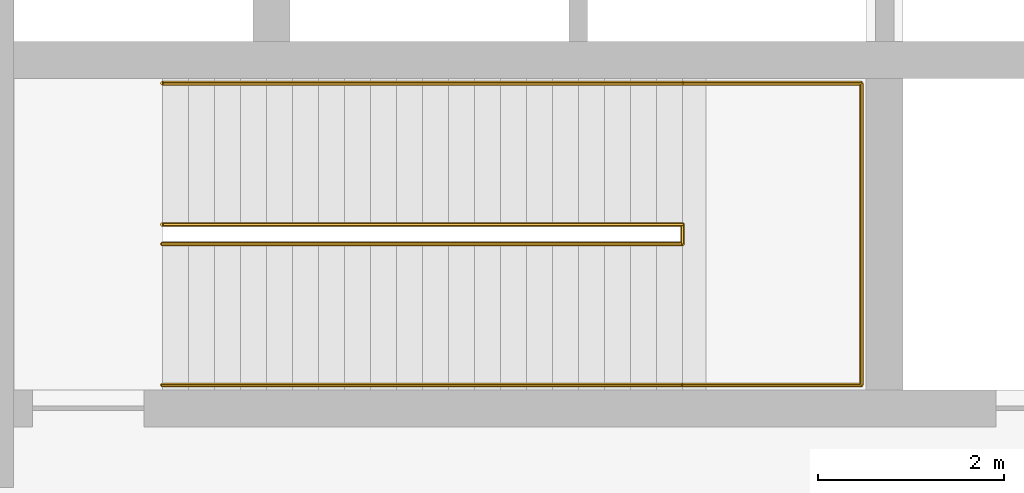
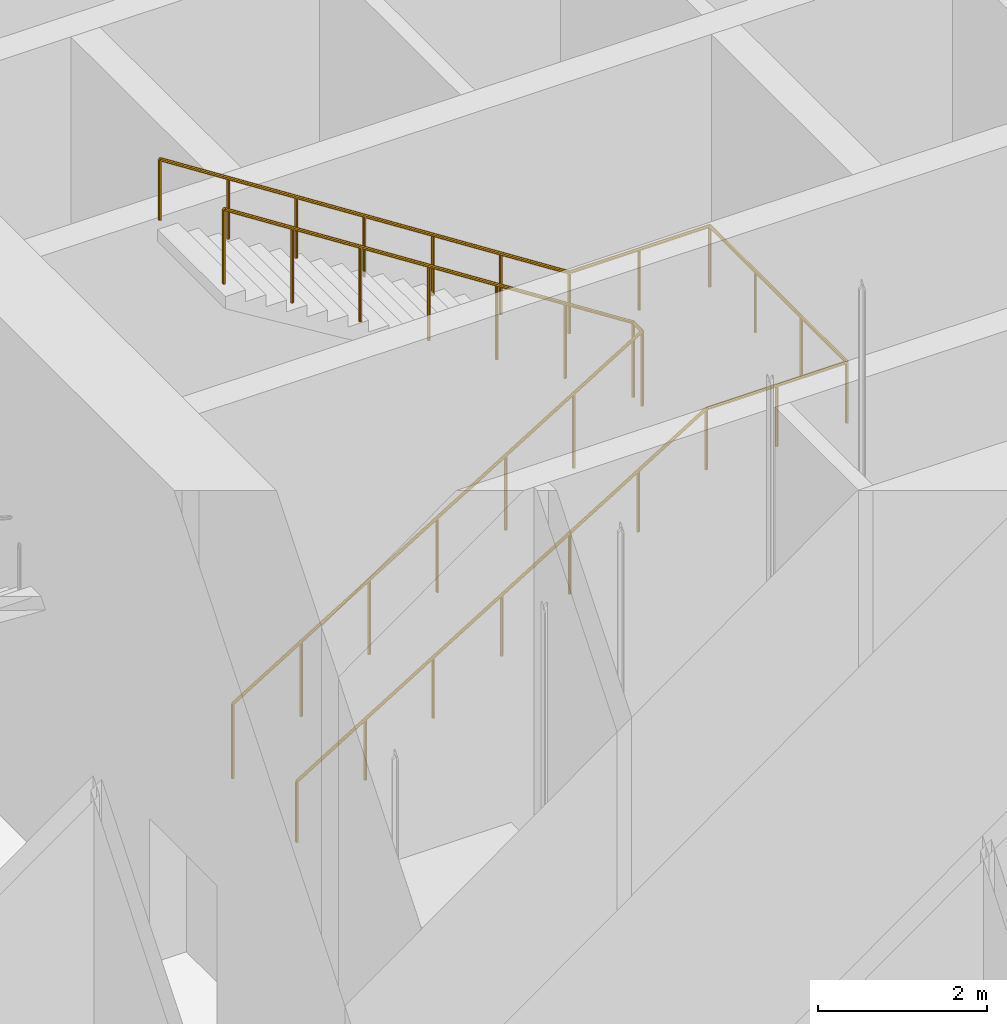
# One storey, part 20 of 32: 2 railings.
"""IFC4 building model written with IfcOpenShell, lengths in metres."""

from ifc_helpers import new_model, si_unit, direction, frame, origin, place, context, subcontext, project, spatial, polyline, outline, extrude, material, type_object, element, save


model = new_model("IFC4")

# Units and contexts
model_context = context("Model", 3, precision=1e-05, world=origin(), true_north=direction((0.0, 1.0)))
body_context = subcontext(model_context, "Body", "Model", "MODEL_VIEW")
ifc_project = project(units=[si_unit("LENGTHUNIT", "METRE"), si_unit("AREAUNIT", "SQUARE_METRE"), si_unit("VOLUMEUNIT", "CUBIC_METRE"), si_unit("PLANEANGLEUNIT", "RADIAN"), si_unit("MASSUNIT", "GRAM", prefix="KILO")], contexts=[model_context])

# Site, building, storey
site_placement = place(None, origin())
site = spatial("IfcSite", under=ifc_project, at=site_placement, CompositionType="ELEMENT")
building_placement = place(site_placement, origin())
building = spatial("IfcBuilding", under=site, at=building_placement, Name="Cobogo Forest Laboratory Tower", CompositionType="ELEMENT")
storey_placement = place(building_placement, origin())
storey = spatial("IfcBuildingStorey", under=building, at=storey_placement, Name="L00", CompositionType="ELEMENT", Elevation=0.0)

# Railings
ifc_material_1 = material(Name="Steel balustrade", Category="steel")
railing_type_1 = type_object("IfcRailingType", Name="GR stair guard 1100", PredefinedType="GUARDRAIL", material=ifc_material_1)
railing_1_placement = place(storey_placement, frame((15.324951171875, 20.969970703125, 0.17138671875)))
element("IfcRailing", 1, at=railing_1_placement, inside=storey, type_object=railing_type_1, Name="Stair guard ST1 L00", PredefinedType="GUARDRAIL", context=body_context, shape_type="SweptSolid", body=[
    extrude(outline(polyline([(0.022216796875, 0.00927734375), (0.00927734375, 0.022216796875), (-0.00927734375, 0.022216796875), (-0.022216796875, 0.00927734375), (-0.022216796875, -0.00927734375), (-0.00927734375, -0.022216796875), (0.00927734375, -0.022216796875), (0.022216796875, -0.00927734375), (0.022216796875, 0.00927734375)])), frame((0.0, 0.0, 1.077880859375), z_axis=(0.852845897599, 0.0, 0.522162690116), x_axis=(0.0, 1.0, 0.0)), (0.0, 0.0, 1.0), 6.56640625),
    extrude(outline(polyline([(0.022216796875, 0.00927734375), (0.00927734375, 0.022216796875), (-0.00927734375, 0.022216796875), (-0.022216796875, 0.00927734375), (-0.022216796875, -0.00927734375), (-0.00927734375, -0.022216796875), (0.00927734375, -0.022216796875), (0.022216796875, -0.00927734375), (0.022216796875, 0.00927734375)])), frame((5.60009765625, 0.0, 4.506591796875), z_axis=(0.0, 1.0, 0.0), x_axis=(-1.0, 0.0, 0.0)), (0.0, 0.0, 1.0), 0.2099609375),
    extrude(outline(polyline([(0.022216796875, 0.00927734375), (0.00927734375, 0.022216796875), (-0.00927734375, 0.022216796875), (-0.022216796875, 0.00927734375), (-0.022216796875, -0.00927734375), (-0.00927734375, -0.022216796875), (0.00927734375, -0.022216796875), (0.022216796875, -0.00927734375), (0.022216796875, 0.00927734375)])), frame((5.60009765625, 0.2099609375, 4.506591796875), z_axis=(-0.841192773368, 0.0, 0.540735349347), x_axis=(0.0, -1.0, 0.0)), (0.0, 0.0, 1.0), 6.6572265625),
    extrude(outline(polyline([(0.019287109375, 0.008056640625), (0.008056640625, 0.019287109375), (-0.008056640625, 0.019287109375), (-0.019287109375, 0.008056640625), (-0.019287109375, -0.008056640625), (-0.008056640625, -0.019287109375), (0.008056640625, -0.019287109375), (0.019287109375, -0.008056640625), (0.019287109375, 0.008056640625)])), origin(), (0.0, 0.0, 1.0), 1.077880859375),
    extrude(outline(polyline([(0.019287109375, 0.008056640625), (0.008056640625, 0.019287109375), (-0.008056640625, 0.019287109375), (-0.019287109375, 0.008056640625), (-0.019287109375, -0.008056640625), (-0.008056640625, -0.019287109375), (0.008056640625, -0.019287109375), (0.019287109375, -0.008056640625), (0.019287109375, 0.008056640625)])), frame((0.933349609375, 0.0, 0.571533203125)), (0.0, 0.0, 1.0), 1.077880859375),
    extrude(outline(polyline([(0.019287109375, 0.008056640625), (0.008056640625, 0.019287109375), (-0.008056640625, 0.019287109375), (-0.019287109375, 0.008056640625), (-0.019287109375, -0.008056640625), (-0.008056640625, -0.019287109375), (0.008056640625, -0.019287109375), (0.019287109375, -0.008056640625), (0.019287109375, 0.008056640625)])), frame((1.86669921875, 0.0, 1.142822265625)), (0.0, 0.0, 1.0), 1.077880859375),
    extrude(outline(polyline([(0.019287109375, 0.008056640625), (0.008056640625, 0.019287109375), (-0.008056640625, 0.019287109375), (-0.019287109375, 0.008056640625), (-0.019287109375, -0.008056640625), (-0.008056640625, -0.019287109375), (0.008056640625, -0.019287109375), (0.019287109375, -0.008056640625), (0.019287109375, 0.008056640625)])), frame((2.800048828125, 0.0, 1.71435546875)), (0.0, 0.0, 1.0), 1.077880859375),
    extrude(outline(polyline([(0.019287109375, 0.008056640625), (0.008056640625, 0.019287109375), (-0.008056640625, 0.019287109375), (-0.019287109375, 0.008056640625), (-0.019287109375, -0.008056640625), (-0.008056640625, -0.019287109375), (0.008056640625, -0.019287109375), (0.019287109375, -0.008056640625), (0.019287109375, 0.008056640625)])), frame((3.7333984375, 0.0, 2.285888671875)), (0.0, 0.0, 1.0), 1.077880859375),
    extrude(outline(polyline([(0.019287109375, 0.008056640625), (0.008056640625, 0.019287109375), (-0.008056640625, 0.019287109375), (-0.019287109375, 0.008056640625), (-0.019287109375, -0.008056640625), (-0.008056640625, -0.019287109375), (0.008056640625, -0.019287109375), (0.019287109375, -0.008056640625), (0.019287109375, 0.008056640625)])), frame((4.666748046875, 0.0, 2.857177734375)), (0.0, 0.0, 1.0), 1.077880859375),
    extrude(outline(polyline([(0.019287109375, 0.008056640625), (0.008056640625, 0.019287109375), (-0.008056640625, 0.019287109375), (-0.019287109375, 0.008056640625), (-0.019287109375, -0.008056640625), (-0.008056640625, -0.019287109375), (0.008056640625, -0.019287109375), (0.019287109375, -0.008056640625), (0.019287109375, 0.008056640625)])), frame((5.60009765625, 0.0, 3.4287109375)), (0.0, 0.0, 1.0), 1.077880859375),
    extrude(outline(polyline([(0.019287109375, 0.008056640625), (0.008056640625, 0.019287109375), (-0.008056640625, 0.019287109375), (-0.019287109375, 0.008056640625), (-0.019287109375, -0.008056640625), (-0.008056640625, -0.019287109375), (0.008056640625, -0.019287109375), (0.019287109375, -0.008056640625), (0.019287109375, 0.008056640625)])), frame((5.60009765625, 0.2099609375, 3.4287109375)), (0.0, 0.0, 1.0), 1.077880859375),
    extrude(outline(polyline([(0.019287109375, 0.008056640625), (0.008056640625, 0.019287109375), (-0.008056640625, 0.019287109375), (-0.019287109375, 0.008056640625), (-0.019287109375, -0.008056640625), (-0.008056640625, -0.019287109375), (0.008056640625, -0.019287109375), (0.019287109375, -0.008056640625), (0.019287109375, 0.008056640625)])), frame((4.666748046875, 0.2099609375, 4.02880859375)), (0.0, 0.0, 1.0), 1.077880859375),
    extrude(outline(polyline([(0.019287109375, 0.008056640625), (0.008056640625, 0.019287109375), (-0.008056640625, 0.019287109375), (-0.019287109375, 0.008056640625), (-0.019287109375, -0.008056640625), (-0.008056640625, -0.019287109375), (0.008056640625, -0.019287109375), (0.019287109375, -0.008056640625), (0.019287109375, 0.008056640625)])), frame((3.7333984375, 0.2099609375, 4.628662109375)), (0.0, 0.0, 1.0), 1.077880859375),
    extrude(outline(polyline([(0.019287109375, 0.008056640625), (0.008056640625, 0.019287109375), (-0.008056640625, 0.019287109375), (-0.019287109375, 0.008056640625), (-0.019287109375, -0.008056640625), (-0.008056640625, -0.019287109375), (0.008056640625, -0.019287109375), (0.019287109375, -0.008056640625), (0.019287109375, 0.008056640625)])), frame((2.800048828125, 0.2099609375, 5.228515625)), (0.0, 0.0, 1.0), 1.077880859375),
    extrude(outline(polyline([(0.019287109375, 0.008056640625), (0.008056640625, 0.019287109375), (-0.008056640625, 0.019287109375), (-0.019287109375, 0.008056640625), (-0.019287109375, -0.008056640625), (-0.008056640625, -0.019287109375), (0.008056640625, -0.019287109375), (0.019287109375, -0.008056640625), (0.019287109375, 0.008056640625)])), frame((1.86669921875, 0.2099609375, 5.82861328125)), (0.0, 0.0, 1.0), 1.077880859375),
    extrude(outline(polyline([(0.019287109375, 0.008056640625), (0.008056640625, 0.019287109375), (-0.008056640625, 0.019287109375), (-0.019287109375, 0.008056640625), (-0.019287109375, -0.008056640625), (-0.008056640625, -0.019287109375), (0.008056640625, -0.019287109375), (0.019287109375, -0.008056640625), (0.019287109375, 0.008056640625)])), frame((0.933349609375, 0.2099609375, 6.4287109375)), (0.0, 0.0, 1.0), 1.077880859375),
    extrude(outline(polyline([(0.019287109375, 0.008056640625), (0.008056640625, 0.019287109375), (-0.008056640625, 0.019287109375), (-0.019287109375, 0.008056640625), (-0.019287109375, -0.008056640625), (-0.008056640625, -0.019287109375), (0.008056640625, -0.019287109375), (0.019287109375, -0.008056640625), (0.019287109375, 0.008056640625)])), frame((0.0, 0.2099609375, 7.028564453125)), (0.0, 0.0, 1.0), 1.077880859375),
])
ifc_material_2 = material(Name="Stainless steel handrail", Category="steel")
railing_type_2 = type_object("IfcRailingType", Name="HR handrail 900", PredefinedType="HANDRAIL", material=ifc_material_2)
railing_2_placement = place(storey_placement, frame((15.324951171875, 19.449951171875, 0.17138671875)))
element("IfcRailing", 2, at=railing_2_placement, inside=storey, type_object=railing_type_2, Name="Stair handrail ST1 L00", PredefinedType="HANDRAIL", context=body_context, shape_type="SweptSolid", body=[
    extrude(outline(polyline([(0.022216796875, 0.00927734375), (0.00927734375, 0.022216796875), (-0.00927734375, 0.022216796875), (-0.022216796875, 0.00927734375), (-0.022216796875, -0.00927734375), (-0.00927734375, -0.022216796875), (0.00927734375, -0.022216796875), (0.022216796875, -0.00927734375), (0.022216796875, 0.00927734375)])), frame((0.0, 0.0, 0.877685546875), z_axis=(0.852845897599, 0.0, 0.522162690116), x_axis=(0.0, 1.0, 0.0)), (0.0, 0.0, 1.0), 6.56640625),
    extrude(outline(polyline([(0.022216796875, 0.00927734375), (0.00927734375, 0.022216796875), (-0.00927734375, 0.022216796875), (-0.022216796875, 0.00927734375), (-0.022216796875, -0.00927734375), (-0.00927734375, -0.022216796875), (0.00927734375, -0.022216796875), (0.022216796875, -0.00927734375), (0.022216796875, 0.00927734375)])), frame((5.60009765625, 0.0, 4.306396484375), z_axis=(1.0, 0.0, 0.0), x_axis=(0.0, 1.0, 0.0)), (0.0, 0.0, 1.0), 1.925048828125),
    extrude(outline(polyline([(0.022216796875, 0.00927734375), (0.00927734375, 0.022216796875), (-0.00927734375, 0.022216796875), (-0.022216796875, 0.00927734375), (-0.022216796875, -0.00927734375), (-0.00927734375, -0.022216796875), (0.00927734375, -0.022216796875), (0.022216796875, -0.00927734375), (0.022216796875, 0.00927734375)])), frame((7.525146484375, 0.0, 4.306396484375), z_axis=(0.0, 1.0, 0.0), x_axis=(-1.0, 0.0, 0.0)), (0.0, 0.0, 1.0), 3.25),
    extrude(outline(polyline([(0.022216796875, 0.00927734375), (0.00927734375, 0.022216796875), (-0.00927734375, 0.022216796875), (-0.022216796875, 0.00927734375), (-0.022216796875, -0.00927734375), (-0.00927734375, -0.022216796875), (0.00927734375, -0.022216796875), (0.022216796875, -0.00927734375), (0.022216796875, 0.00927734375)])), frame((7.525146484375, 3.25, 4.306396484375), z_axis=(-1.0, 0.0, 0.0), x_axis=(0.0, -1.0, 0.0)), (0.0, 0.0, 1.0), 1.925048828125),
    extrude(outline(polyline([(0.022216796875, 0.00927734375), (0.00927734375, 0.022216796875), (-0.00927734375, 0.022216796875), (-0.022216796875, 0.00927734375), (-0.022216796875, -0.00927734375), (-0.00927734375, -0.022216796875), (0.00927734375, -0.022216796875), (0.022216796875, -0.00927734375), (0.022216796875, 0.00927734375)])), frame((5.60009765625, 3.25, 4.306396484375), z_axis=(-0.841192773368, 0.0, 0.540735349347), x_axis=(0.0, -1.0, 0.0)), (0.0, 0.0, 1.0), 6.6572265625),
    extrude(outline(polyline([(0.019287109375, 0.008056640625), (0.008056640625, 0.019287109375), (-0.008056640625, 0.019287109375), (-0.019287109375, 0.008056640625), (-0.019287109375, -0.008056640625), (-0.008056640625, -0.019287109375), (0.008056640625, -0.019287109375), (0.019287109375, -0.008056640625), (0.019287109375, 0.008056640625)])), origin(), (0.0, 0.0, 1.0), 0.877685546875),
    extrude(outline(polyline([(0.019287109375, 0.008056640625), (0.008056640625, 0.019287109375), (-0.008056640625, 0.019287109375), (-0.019287109375, 0.008056640625), (-0.019287109375, -0.008056640625), (-0.008056640625, -0.019287109375), (0.008056640625, -0.019287109375), (0.019287109375, -0.008056640625), (0.019287109375, 0.008056640625)])), frame((0.933349609375, 0.0, 0.571533203125)), (0.0, 0.0, 1.0), 0.877685546875),
    extrude(outline(polyline([(0.019287109375, 0.008056640625), (0.008056640625, 0.019287109375), (-0.008056640625, 0.019287109375), (-0.019287109375, 0.008056640625), (-0.019287109375, -0.008056640625), (-0.008056640625, -0.019287109375), (0.008056640625, -0.019287109375), (0.019287109375, -0.008056640625), (0.019287109375, 0.008056640625)])), frame((1.86669921875, 0.0, 1.142822265625)), (0.0, 0.0, 1.0), 0.877685546875),
    extrude(outline(polyline([(0.019287109375, 0.008056640625), (0.008056640625, 0.019287109375), (-0.008056640625, 0.019287109375), (-0.019287109375, 0.008056640625), (-0.019287109375, -0.008056640625), (-0.008056640625, -0.019287109375), (0.008056640625, -0.019287109375), (0.019287109375, -0.008056640625), (0.019287109375, 0.008056640625)])), frame((2.800048828125, 0.0, 1.71435546875)), (0.0, 0.0, 1.0), 0.877685546875),
    extrude(outline(polyline([(0.019287109375, 0.008056640625), (0.008056640625, 0.019287109375), (-0.008056640625, 0.019287109375), (-0.019287109375, 0.008056640625), (-0.019287109375, -0.008056640625), (-0.008056640625, -0.019287109375), (0.008056640625, -0.019287109375), (0.019287109375, -0.008056640625), (0.019287109375, 0.008056640625)])), frame((3.7333984375, 0.0, 2.285888671875)), (0.0, 0.0, 1.0), 0.877685546875),
    extrude(outline(polyline([(0.019287109375, 0.008056640625), (0.008056640625, 0.019287109375), (-0.008056640625, 0.019287109375), (-0.019287109375, 0.008056640625), (-0.019287109375, -0.008056640625), (-0.008056640625, -0.019287109375), (0.008056640625, -0.019287109375), (0.019287109375, -0.008056640625), (0.019287109375, 0.008056640625)])), frame((4.666748046875, 0.0, 2.857177734375)), (0.0, 0.0, 1.0), 0.877685546875),
    extrude(outline(polyline([(0.019287109375, 0.008056640625), (0.008056640625, 0.019287109375), (-0.008056640625, 0.019287109375), (-0.019287109375, 0.008056640625), (-0.019287109375, -0.008056640625), (-0.008056640625, -0.019287109375), (0.008056640625, -0.019287109375), (0.019287109375, -0.008056640625), (0.019287109375, 0.008056640625)])), frame((5.60009765625, 0.0, 3.4287109375)), (0.0, 0.0, 1.0), 0.877685546875),
    extrude(outline(polyline([(0.019287109375, 0.008056640625), (0.008056640625, 0.019287109375), (-0.008056640625, 0.019287109375), (-0.019287109375, 0.008056640625), (-0.019287109375, -0.008056640625), (-0.008056640625, -0.019287109375), (0.008056640625, -0.019287109375), (0.019287109375, -0.008056640625), (0.019287109375, 0.008056640625)])), frame((6.5625, 0.0, 3.4287109375)), (0.0, 0.0, 1.0), 0.877685546875),
    extrude(outline(polyline([(0.019287109375, 0.008056640625), (0.008056640625, 0.019287109375), (-0.008056640625, 0.019287109375), (-0.019287109375, 0.008056640625), (-0.019287109375, -0.008056640625), (-0.008056640625, -0.019287109375), (0.008056640625, -0.019287109375), (0.019287109375, -0.008056640625), (0.019287109375, 0.008056640625)])), frame((7.525146484375, 0.0, 3.4287109375)), (0.0, 0.0, 1.0), 0.877685546875),
    extrude(outline(polyline([(0.019287109375, 0.008056640625), (0.008056640625, 0.019287109375), (-0.008056640625, 0.019287109375), (-0.019287109375, 0.008056640625), (-0.019287109375, -0.008056640625), (-0.008056640625, -0.019287109375), (0.008056640625, -0.019287109375), (0.019287109375, -0.008056640625), (0.019287109375, 0.008056640625)])), frame((7.525146484375, 1.083251953125, 3.4287109375)), (0.0, 0.0, 1.0), 0.877685546875),
    extrude(outline(polyline([(0.019287109375, 0.008056640625), (0.008056640625, 0.019287109375), (-0.008056640625, 0.019287109375), (-0.019287109375, 0.008056640625), (-0.019287109375, -0.008056640625), (-0.008056640625, -0.019287109375), (0.008056640625, -0.019287109375), (0.019287109375, -0.008056640625), (0.019287109375, 0.008056640625)])), frame((7.525146484375, 2.166748046875, 3.4287109375)), (0.0, 0.0, 1.0), 0.877685546875),
    extrude(outline(polyline([(0.019287109375, 0.008056640625), (0.008056640625, 0.019287109375), (-0.008056640625, 0.019287109375), (-0.019287109375, 0.008056640625), (-0.019287109375, -0.008056640625), (-0.008056640625, -0.019287109375), (0.008056640625, -0.019287109375), (0.019287109375, -0.008056640625), (0.019287109375, 0.008056640625)])), frame((7.525146484375, 3.25, 3.4287109375)), (0.0, 0.0, 1.0), 0.877685546875),
    extrude(outline(polyline([(0.019287109375, 0.008056640625), (0.008056640625, 0.019287109375), (-0.008056640625, 0.019287109375), (-0.019287109375, 0.008056640625), (-0.019287109375, -0.008056640625), (-0.008056640625, -0.019287109375), (0.008056640625, -0.019287109375), (0.019287109375, -0.008056640625), (0.019287109375, 0.008056640625)])), frame((6.5625, 3.25, 3.4287109375)), (0.0, 0.0, 1.0), 0.877685546875),
    extrude(outline(polyline([(0.019287109375, 0.008056640625), (0.008056640625, 0.019287109375), (-0.008056640625, 0.019287109375), (-0.019287109375, 0.008056640625), (-0.019287109375, -0.008056640625), (-0.008056640625, -0.019287109375), (0.008056640625, -0.019287109375), (0.019287109375, -0.008056640625), (0.019287109375, 0.008056640625)])), frame((5.60009765625, 3.25, 3.4287109375)), (0.0, 0.0, 1.0), 0.877685546875),
    extrude(outline(polyline([(0.019287109375, 0.008056640625), (0.008056640625, 0.019287109375), (-0.008056640625, 0.019287109375), (-0.019287109375, 0.008056640625), (-0.019287109375, -0.008056640625), (-0.008056640625, -0.019287109375), (0.008056640625, -0.019287109375), (0.019287109375, -0.008056640625), (0.019287109375, 0.008056640625)])), frame((4.666748046875, 3.25, 4.02880859375)), (0.0, 0.0, 1.0), 0.877685546875),
    extrude(outline(polyline([(0.019287109375, 0.008056640625), (0.008056640625, 0.019287109375), (-0.008056640625, 0.019287109375), (-0.019287109375, 0.008056640625), (-0.019287109375, -0.008056640625), (-0.008056640625, -0.019287109375), (0.008056640625, -0.019287109375), (0.019287109375, -0.008056640625), (0.019287109375, 0.008056640625)])), frame((3.7333984375, 3.25, 4.628662109375)), (0.0, 0.0, 1.0), 0.877685546875),
    extrude(outline(polyline([(0.019287109375, 0.008056640625), (0.008056640625, 0.019287109375), (-0.008056640625, 0.019287109375), (-0.019287109375, 0.008056640625), (-0.019287109375, -0.008056640625), (-0.008056640625, -0.019287109375), (0.008056640625, -0.019287109375), (0.019287109375, -0.008056640625), (0.019287109375, 0.008056640625)])), frame((2.800048828125, 3.25, 5.228515625)), (0.0, 0.0, 1.0), 0.877685546875),
    extrude(outline(polyline([(0.019287109375, 0.008056640625), (0.008056640625, 0.019287109375), (-0.008056640625, 0.019287109375), (-0.019287109375, 0.008056640625), (-0.019287109375, -0.008056640625), (-0.008056640625, -0.019287109375), (0.008056640625, -0.019287109375), (0.019287109375, -0.008056640625), (0.019287109375, 0.008056640625)])), frame((1.86669921875, 3.25, 5.82861328125)), (0.0, 0.0, 1.0), 0.877685546875),
    extrude(outline(polyline([(0.019287109375, 0.008056640625), (0.008056640625, 0.019287109375), (-0.008056640625, 0.019287109375), (-0.019287109375, 0.008056640625), (-0.019287109375, -0.008056640625), (-0.008056640625, -0.019287109375), (0.008056640625, -0.019287109375), (0.019287109375, -0.008056640625), (0.019287109375, 0.008056640625)])), frame((0.933349609375, 3.25, 6.4287109375)), (0.0, 0.0, 1.0), 0.877685546875),
    extrude(outline(polyline([(0.019287109375, 0.008056640625), (0.008056640625, 0.019287109375), (-0.008056640625, 0.019287109375), (-0.019287109375, 0.008056640625), (-0.019287109375, -0.008056640625), (-0.008056640625, -0.019287109375), (0.008056640625, -0.019287109375), (0.019287109375, -0.008056640625), (0.019287109375, 0.008056640625)])), frame((0.0, 3.25, 7.028564453125)), (0.0, 0.0, 1.0), 0.877685546875),
])

save(model, "model.ifc")
